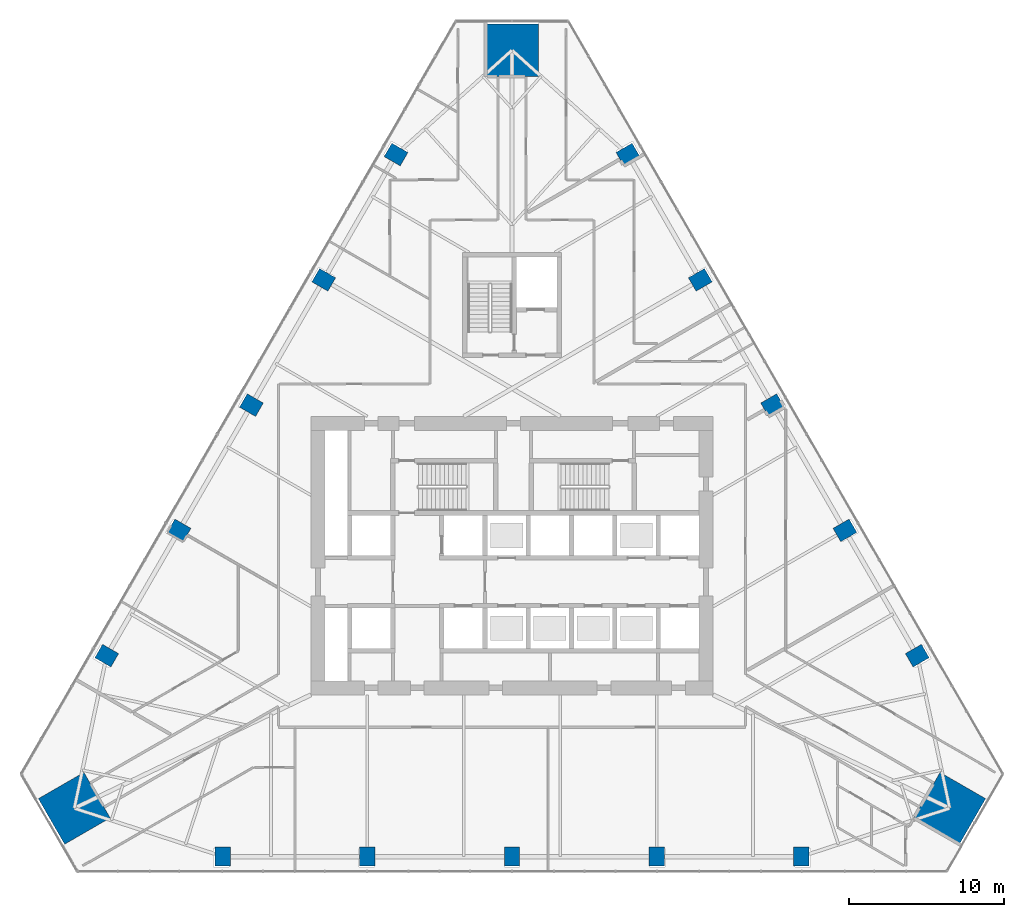
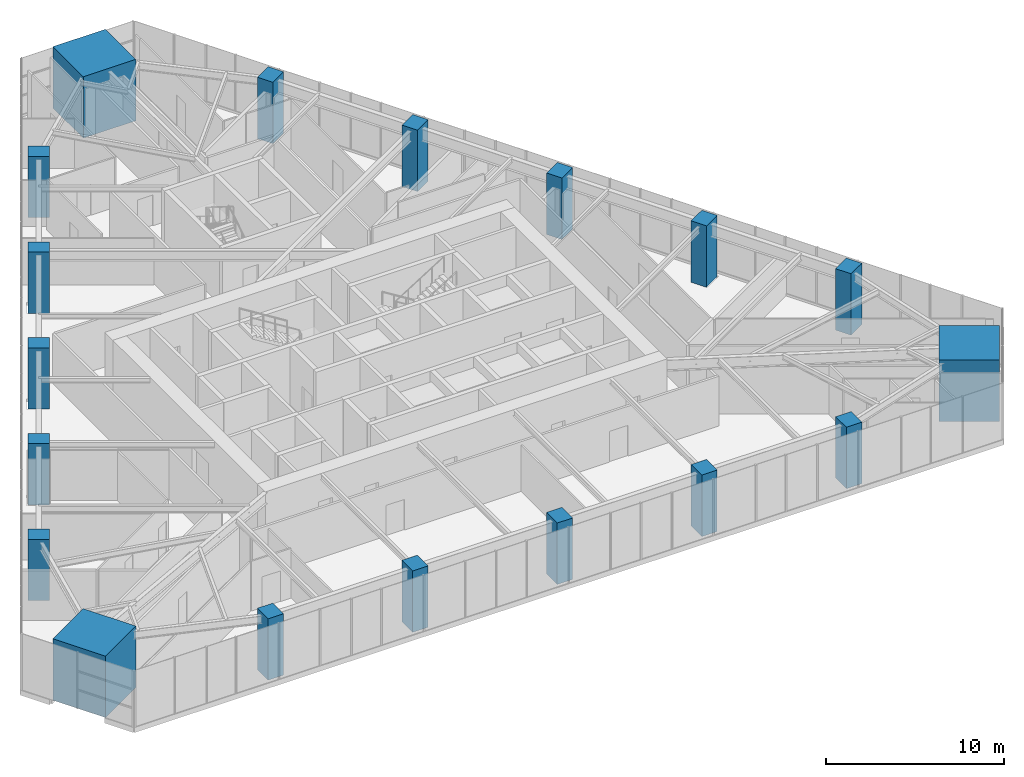
# One storey, part 1 of 19: 18 columns.
"""IFC4 building model written with IfcOpenShell, lengths in metres."""

import ifcopenshell
import ifcopenshell.guid

model = None  # the IFC model being written
_history = None  # IfcOwnerHistory: only IFC2X3 demands one
_inside = {}  # id of a spatial element -> (the spatial element, [elements in it])
_under = {}  # id of a project, library or spatial element -> (it, [spatial elements below it])
_declared = {}  # id of a project -> (the project, [libraries it declares])
_typed = {}  # id of a type object -> (the type object, [elements of that type])
_made_of = {}  # id of a material, layer set ... -> (it, [elements and type objects made of it])


def new_model(schema):
    """Start an empty IFC model of exactly this schema.

    Asked for "IFC4X3", IfcOpenShell would pick the latest addendum, in which some entities
    have other attributes; the version numbers below select the first issue.
    IFC2X3 requires an IfcOwnerHistory on every rooted entity: one is made here for all.
    """
    global model, _history
    if schema == "IFC4X3":
        model = ifcopenshell.file(schema_version=(4, 3, 0, 0))
    else:
        model = ifcopenshell.file(schema=schema)
    _inside.clear()
    _under.clear()
    _declared.clear()
    _typed.clear()
    _made_of.clear()
    _history = None
    if model.schema == "IFC2X3":
        org = make("IfcOrganization", Name="unknown")
        user = make(
            "IfcPersonAndOrganization",
            ThePerson=make("IfcPerson", FamilyName="unknown"),
            TheOrganization=org,
        )
        app = make(
            "IfcApplication",
            ApplicationDeveloper=org,
            Version="unknown",
            ApplicationFullName="unknown",
            ApplicationIdentifier="unknown",
        )
        _history = make(
            "IfcOwnerHistory",
            OwningUser=user,
            OwningApplication=app,
            ChangeAction="ADDED",
            CreationDate=0,
        )
    return model


def make(cls, **values):
    """One entity of the class cls with the attributes given. An attribute that is None is left unset."""
    return model.create_entity(
        cls, **{name: value for name, value in values.items() if value is not None}
    )


def rooted(cls, **values):
    """An entity with a GlobalId (a new one), such as an element, a storey or a relation."""
    return make(cls, GlobalId=ifcopenshell.guid.new(), OwnerHistory=_history, **values)


def si_unit(unit_type, name, prefix=None):
    """IfcSIUnit, for example si_unit("LENGTHUNIT", "METRE", prefix="MILLI")."""
    return make("IfcSIUnit", UnitType=unit_type, Prefix=prefix, Name=name)


def assignment(units):
    """IfcUnitAssignment: the units of a project."""
    return None if units is None else make("IfcUnitAssignment", Units=units)


def point(xyz):
    """IfcCartesianPoint."""
    return None if xyz is None else make("IfcCartesianPoint", Coordinates=xyz)


def direction(xyz):
    """IfcDirection."""
    return None if xyz is None else make("IfcDirection", DirectionRatios=xyz)


def frame(location, z_axis=None, x_axis=None):
    """IfcAxis2Placement3D, a coordinate frame: its origin and axes. An axis left out is left unset."""
    return make(
        "IfcAxis2Placement3D",
        Location=point(location),
        Axis=direction(z_axis),
        RefDirection=direction(x_axis),
    )


def frame_2d(location, x_axis=None):
    """IfcAxis2Placement2D, a coordinate frame in the plane: its origin and x axis."""
    return make(
        "IfcAxis2Placement2D", Location=point(location), RefDirection=direction(x_axis)
    )


def origin():
    """The frame at (0, 0, 0) with its axes left unset."""
    return frame((0.0, 0.0, 0.0))


def origin_2d():
    """The frame at (0, 0) in the plane with its x axis left unset."""
    return frame_2d((0.0, 0.0))


def place(relative_to, where):
    """IfcLocalPlacement: puts the frame where relative to a parent placement (None: the world)."""
    return make(
        "IfcLocalPlacement", PlacementRelTo=relative_to, RelativePlacement=where
    )


def context(
    kind, dimensions, precision=None, world=None, true_north=None, identifier=None
):
    """IfcGeometricRepresentationContext, for example the 3D "Model" context."""
    return make(
        "IfcGeometricRepresentationContext",
        ContextIdentifier=identifier,
        ContextType=kind,
        CoordinateSpaceDimension=dimensions,
        Precision=precision,
        WorldCoordinateSystem=world,
        TrueNorth=true_north,
    )


def subcontext(parent, identifier, kind, view, scale=None):
    """IfcGeometricRepresentationSubContext, for example "Body" below "Model"."""
    return make(
        "IfcGeometricRepresentationSubContext",
        ContextIdentifier=identifier,
        ContextType=kind,
        ParentContext=parent,
        TargetScale=scale,
        TargetView=view,
    )


def project(units=None, contexts=None):
    """IfcProject with its units and contexts."""
    return rooted(
        "IfcProject",
        Name="project",
        RepresentationContexts=contexts,
        UnitsInContext=assignment(units),
    )


def spatial(cls, under=None, at=None, **own):
    """A site, building, storey or space (cls), placed at a placement, below another one or the project."""
    s = rooted(cls, ObjectPlacement=at, **own)
    if under is not None:
        _under.setdefault(under.id(), (under, []))[1].append(s)
    return s


def profile(cls, at=None, kind="AREA", **sizes):
    """A parametric profile (cls). Its sizes go by their IFC names, for example OverallWidth=200.0."""
    return make(cls, ProfileType=kind, Position=at, **sizes)


def rectangle(**sizes):
    """IfcRectangleProfileDef."""
    return profile("IfcRectangleProfileDef", **sizes)


def extrude(swept, where, along, depth):
    """IfcExtrudedAreaSolid: the profile swept, set in the frame where, extruded along a direction by depth."""
    return make(
        "IfcExtrudedAreaSolid",
        SweptArea=swept,
        Position=where,
        ExtrudedDirection=direction(along),
        Depth=depth,
    )


def shape(context_of_items, identifier, shape_type, items):
    """IfcShapeRepresentation: the items that make up one representation, for example the "Body"."""
    return make(
        "IfcShapeRepresentation",
        ContextOfItems=context_of_items,
        RepresentationIdentifier=identifier,
        RepresentationType=shape_type,
        Items=items,
    )


def material(Name=None, Category=None):
    """IfcMaterial."""
    return make("IfcMaterial", Name=Name, Category=Category)


def material_profile(
    of_material, cross_section, Name=None, Category=None, Priority=None
):
    """IfcMaterialProfile: a cross section and its material."""
    return make(
        "IfcMaterialProfile",
        Name=Name,
        Material=of_material,
        Profile=cross_section,
        Priority=Priority,
        Category=Category,
    )


def profile_set(profiles, Name=None, composite=None):
    """IfcMaterialProfileSet."""
    return make(
        "IfcMaterialProfileSet",
        Name=Name,
        MaterialProfiles=profiles,
        CompositeProfile=composite,
    )


def made_of(thing, what):
    """Note that an element or type object is made of a material, layer set ...; save() writes the relation."""
    if what is not None:
        _made_of.setdefault(what.id(), (what, []))[1].append(thing)
    return thing


def type_object(cls, material=None, **own):
    """A type object (cls), such as IfcWallType, which elements share."""
    return made_of(rooted(cls, **own), material)


def element(
    cls,
    number,
    at=None,
    inside=None,
    cuts=None,
    type_object=None,
    material=None,
    context=None,
    identifier="Body",
    shape_type=None,
    held_by="IfcProductDefinitionShape",
    body=None,
    shapes=None,
    **own,
):
    """One element of the class cls, such as IfcWall. Its Tag is "e" and its number.

    at: its placement. inside: the storey or other place that contains it. cuts: it is an
    opening in that element (IfcRelVoidsElement). A single representation is given by context,
    identifier, shape_type and body (its items); several are given by shapes. held_by: the class
    of the entity that holds the representations. save() writes the other relations.
    """
    e = rooted(cls, Tag="e%d" % number, ObjectPlacement=at, **own)
    if body is not None:
        shapes = [shape(context, identifier, shape_type, body)]
    if shapes is not None:
        e.Representation = make(held_by, Representations=shapes)
    if inside is not None:
        _inside.setdefault(inside.id(), (inside, []))[1].append(e)
    if cuts is not None:
        rooted(
            "IfcRelVoidsElement", RelatingBuildingElement=cuts, RelatedOpeningElement=e
        )
    if type_object is not None:
        _typed.setdefault(type_object.id(), (type_object, []))[1].append(e)
    return made_of(e, material)


def aggregate(whole, parts):
    """IfcRelAggregates: a whole, such as a stair, and the parts it consists of."""
    return rooted("IfcRelAggregates", RelatingObject=whole, RelatedObjects=parts)


def save(model, path):
    """Write the relations noted so far, then the file.

    IfcRelAggregates (storeys below a building ...), IfcRelContainedInSpatialStructure (elements
    in a storey), IfcRelDefinesByType, IfcRelAssociatesMaterial and IfcRelDeclares: one each for
    every whole, place, type object, material and project.
    """
    for whole, parts in _under.values():
        aggregate(whole, parts)
    for where, things in _inside.values():
        rooted(
            "IfcRelContainedInSpatialStructure",
            RelatedElements=things,
            RelatingStructure=where,
        )
    for kind, things in _typed.values():
        rooted("IfcRelDefinesByType", RelatedObjects=things, RelatingType=kind)
    for what, things in _made_of.values():
        rooted("IfcRelAssociatesMaterial", RelatedObjects=things, RelatingMaterial=what)
    for by, libraries in _declared.values():
        rooted("IfcRelDeclares", RelatingContext=by, RelatedDefinitions=libraries)
    model.write(path)


model = new_model("IFC4")

# Units and contexts
model_context = context("Model", 3, precision=1e-05, world=origin(), true_north=direction((0.0, 1.0)))
body_context = subcontext(model_context, "Body", "Model", "MODEL_VIEW")
ifc_project = project(units=[si_unit("LENGTHUNIT", "METRE"), si_unit("AREAUNIT", "SQUARE_METRE"), si_unit("VOLUMEUNIT", "CUBIC_METRE"), si_unit("PLANEANGLEUNIT", "RADIAN"), si_unit("MASSUNIT", "GRAM", prefix="KILO")], contexts=[model_context])

# Site, building, storey
site_placement = place(None, origin())
site = spatial("IfcSite", under=ifc_project, at=site_placement, CompositionType="ELEMENT")
building_placement = place(site_placement, origin())
building = spatial("IfcBuilding", under=site, at=building_placement, Name="Firuza Gate Tower and Library", CompositionType="ELEMENT")
storey_placement = place(building_placement, frame((0.0, 0.0, 103.0)))
storey = spatial("IfcBuildingStorey", under=building, at=storey_placement, Name="L23", CompositionType="ELEMENT", Elevation=103.0)

# Columns
ifc_material_1 = material(Name="Concrete C80/95", Category="concrete")
ifc_material_profile_1 = material_profile(ifc_material_1, rectangle(XDim=3.39990234375, YDim=3.39990234375, at=origin_2d()))
ifc_profile_set_1 = profile_set([ifc_material_profile_1], Name="Concrete C80/95")
column_type_1 = type_object("IfcColumnType", Name="Mega column 3400x3400 C80/95", PredefinedType="COLUMN", material=ifc_profile_set_1)
for number, where, z_axis, x_axis, name in (
    (1, (103.3037109375, 58.65869140625, 0.0), (0.0, 0.0, 1.0), (0.5, 0.866025403784, 0.0), "Mega column SE L23"),
    (2, (75.0, 107.682373046875, 0.0), (0.0, 0.0, 1.0), (-1.0, 0.0, 0.0), "Mega column N L23"),
    (3, (46.6962890625, 58.65869140625, 0.0), (0.0, 0.0, 1.0), (0.5, -0.866025403784, 0.0), "Mega column SW L23"),
):
    element("IfcColumn", number, at=place(storey_placement, frame(where, z_axis=z_axis, x_axis=x_axis)), inside=storey, type_object=column_type_1, Name=name, PredefinedType="COLUMN", context=body_context, shape_type="SweptSolid", body=[
        extrude(rectangle(XDim=3.39990234375, YDim=3.39990234375, at=origin_2d()), origin(), (0.0, 0.0, 1.0), 4.199951171875),
    ])
ifc_material_2 = material(Name="Concrete C60/75", Category="concrete")
ifc_material_profile_2 = material_profile(ifc_material_2, rectangle(XDim=1.0, YDim=1.199951171875, at=origin_2d()))
ifc_profile_set_2 = profile_set([ifc_material_profile_2], Name="Concrete C60/75")
column_type_2 = type_object("IfcColumnType", Name="Perimeter column 1000x1200 C60/75", PredefinedType="COLUMN", material=ifc_profile_set_2)
for number, where, z_axis, x_axis, name in (
    (4, (56.29150390625, 55.541015625, -0.00048828125), (0.0, 0.0, 1.0), (1.0, 0.0, 0.0), "Column S1 L23"),
    (5, (65.645751953125, 55.541015625, -0.00048828125), (0.0, 0.0, 1.0), (1.0, 0.0, 0.0), "Column S2 L23"),
    (6, (75.0, 55.541015625, -0.00048828125), (0.0, 0.0, 1.0), (1.0, 0.0, 0.0), "Column S3 L23"),
    (7, (84.354248046875, 55.541015625, -0.00048828125), (0.0, 0.0, 1.0), (1.0, 0.0, 0.0), "Column S4 L23"),
    (8, (93.70849609375, 55.541015625, -0.00048828125), (0.0, 0.0, 1.0), (1.0, 0.0, 0.0), "Column S5 L23"),
    (9, (101.2060546875, 68.527587890625, -0.00048828125), (0.0, 0.0, 1.0), (-0.5, 0.866025403784, 0.0), "Column E1 L23"),
    (10, (96.529052734375, 76.62841796875, -0.00048828125), (0.0, 0.0, 1.0), (-0.5, 0.866025403784, 0.0), "Column E2 L23"),
    (11, (91.851806640625, 84.7294921875, -0.00048828125), (0.0, 0.0, 1.0), (-0.5, 0.866025403784, 0.0), "Column E3 L23"),
    (12, (87.1748046875, 92.830322265625, -0.00048828125), (0.0, 0.0, 1.0), (-0.5, 0.866025403784, 0.0), "Column E4 L23"),
    (13, (82.497802734375, 100.931396484375, -0.00048828125), (0.0, 0.0, 1.0), (-0.5, 0.866025403784, 0.0), "Column E5 L23"),
    (14, (67.502197265625, 100.931396484375, -0.00048828125), (0.0, 0.0, 1.0), (-0.5, -0.866025403784, 0.0), "Column W1 L23"),
    (15, (62.8251953125, 92.830322265625, -0.00048828125), (0.0, 0.0, 1.0), (-0.5, -0.866025403784, 0.0), "Column W2 L23"),
    (16, (58.148193359375, 84.7294921875, -0.00048828125), (0.0, 0.0, 1.0), (-0.5, -0.866025403784, 0.0), "Column W3 L23"),
    (17, (53.470947265625, 76.62841796875, -0.00048828125), (0.0, 0.0, 1.0), (-0.5, -0.866025403784, 0.0), "Column W4 L23"),
    (18, (48.7939453125, 68.527587890625, -0.00048828125), (0.0, 0.0, 1.0), (-0.5, -0.866025403784, 0.0), "Column W5 L23"),
):
    element("IfcColumn", number, at=place(storey_placement, frame(where, z_axis=z_axis, x_axis=x_axis)), inside=storey, type_object=column_type_2, Name=name, PredefinedType="COLUMN", context=body_context, shape_type="SweptSolid", body=[
        extrude(rectangle(XDim=1.0, YDim=1.199951171875, at=origin_2d()), origin(), (0.0, 0.0, 1.0), 4.200439453125),
    ])

save(model, "model.ifc")
